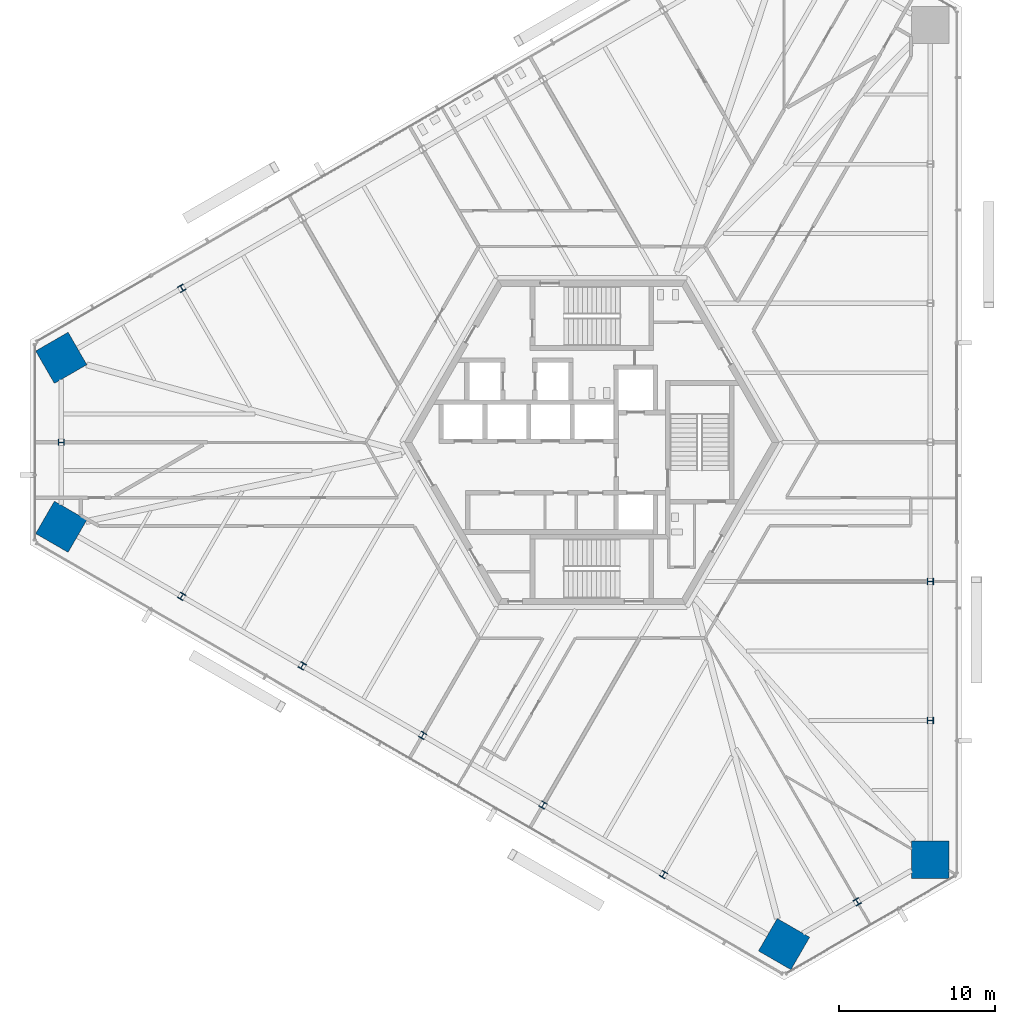
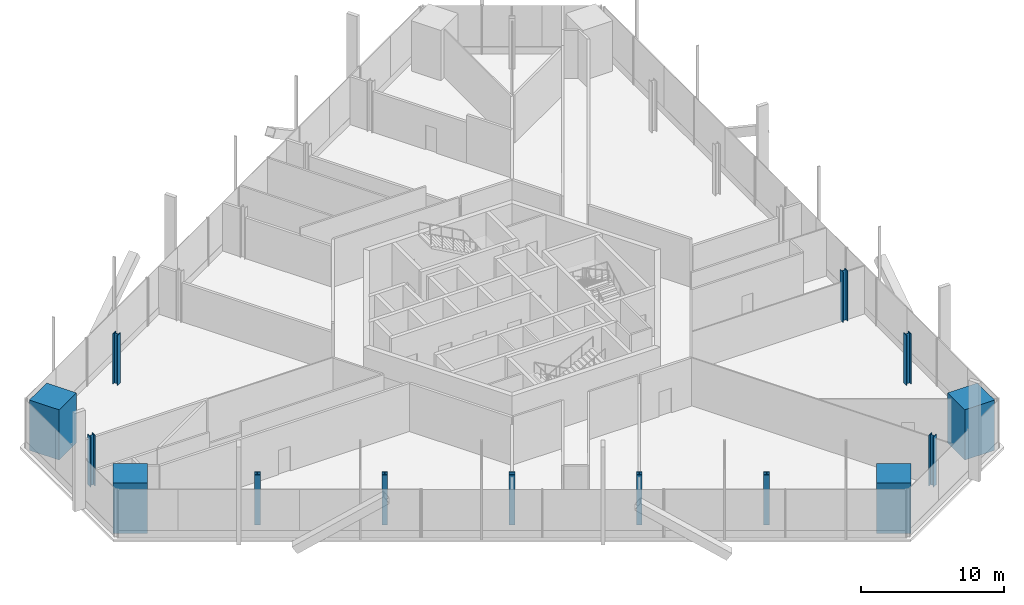
# One storey, part 1 of 19: 14 columns.
"""IFC4 building model written with IfcOpenShell, lengths in metres."""

from ifc_helpers import new_model, si_unit, direction, frame, origin, origin_2d, place, context, subcontext, project, spatial, rectangle, i_section, extrude, source, transform, mapped, material, material_profile, profile_set, type_object, element, save


model = new_model("IFC4")

# Units and contexts
model_context = context("Model", 3, precision=1e-05, world=origin(), true_north=direction((0.0, 1.0)))
body_context = subcontext(model_context, "Body", "Model", "MODEL_VIEW")
ifc_project = project(units=[si_unit("LENGTHUNIT", "METRE"), si_unit("AREAUNIT", "SQUARE_METRE"), si_unit("VOLUMEUNIT", "CUBIC_METRE"), si_unit("PLANEANGLEUNIT", "RADIAN"), si_unit("MASSUNIT", "GRAM", prefix="KILO")], contexts=[model_context])

# Site, building, storey
site_placement = place(None, origin())
site = spatial("IfcSite", under=ifc_project, at=site_placement, CompositionType="ELEMENT")
building_placement = place(site_placement, origin())
building = spatial("IfcBuilding", under=site, at=building_placement, Name="Triune Harvest Tower", CompositionType="ELEMENT")
storey_placement = place(building_placement, frame((0.0, 0.0, 24.60009765625)))
storey = spatial("IfcBuildingStorey", under=building, at=storey_placement, Name="L05", CompositionType="ELEMENT", Elevation=24.60009765625)

# Columns
ifc_material_1 = material(Name="Concrete 70 MPa", Category="concrete")
ifc_material_profile_1 = material_profile(ifc_material_1, rectangle(XDim=2.39990234375, YDim=2.39990234375, at=origin_2d()), Name="Composite 2400x2400")
ifc_profile_set_1 = profile_set([ifc_material_profile_1], Name="Concrete 70 MPa")
column_type_1 = type_object("IfcColumnType", Name="MC-1 Mega column Composite 2400x2400", PredefinedType="COLUMN", material=ifc_profile_set_1)
shared_shape_1 = source(origin(), body_context, "Body", "SweptSolid", [
    extrude(rectangle(XDim=2.39990234375, YDim=2.39990234375, at=origin_2d()), origin(), (0.0, 0.0, 1.0), 4.2998046875),
])
for number, where, z_axis, x_axis, name in (
    (1, (21.679443359375, -26.72998046875, 0.0), (0.0, 0.0, 1.0), (0.0, 1.0, 0.0), "col/L05/M0"),
    (2, (-33.988525390625, 5.409912109375, 0.0), (0.0, 0.0, 1.0), (-0.866025403784, -0.5, 0.0), "col/L05/M14"),
    (3, (-33.988525390625, -5.409912109375, 0.0), (0.0, 0.0, 1.0), (0.866025403784, -0.5, 0.0), "col/L05/M16"),
    (4, (12.30908203125, -32.139892578125, 0.0), (0.0, 0.0, 1.0), (0.866025403784, -0.5, 0.0), "col/L05/M22"),
):
    element("IfcColumn", number, at=place(storey_placement, frame(where, z_axis=z_axis, x_axis=x_axis)), inside=storey, type_object=column_type_1, Name=name, PredefinedType="COLUMN", context=body_context, shape_type="MappedRepresentation", body=[
        mapped(shared_shape_1, transform((0.0, 0.0, 0.0), scale=1.0)),
    ])
ifc_material_2 = material(Name="Steel ASTM A992 Gr 50", Category="steel")
ifc_material_profile_2 = material_profile(ifc_material_2, i_section(OverallWidth=0.40380859375, OverallDepth=0.406494140625, WebThickness=0.027099609375, FlangeThickness=0.043701171875, at=origin_2d()), Name="W14x233")
ifc_profile_set_2 = profile_set([ifc_material_profile_2], Name="Steel ASTM A992 Gr 50")
column_type_2 = type_object("IfcColumnType", Name="PC-1 Perimeter column W14x233", PredefinedType="COLUMN", material=ifc_profile_set_2)
shared_shape_2 = source(origin(), body_context, "Body", "SweptSolid", [
    extrude(i_section(OverallWidth=0.40380859375, OverallDepth=0.406494140625, WebThickness=0.027099609375, FlangeThickness=0.043701171875, at=origin_2d()), origin(), (0.0, 0.0, 1.0), 4.2998046875),
])
for number, where, z_axis, x_axis, name in (
    (5, (21.679443359375, -17.820068359375, 0.0), (0.0, 0.0, 1.0), (0.0, 1.0, 0.0), "col/L05/P1"),
    (6, (21.679443359375, -8.909912109375, 0.0), (0.0, 0.0, 1.0), (0.0, 1.0, 0.0), "col/L05/P2"),
    (7, (-26.272216796875, 9.864990234375, 0.0), (0.0, 0.0, 1.0), (-0.866025403784, -0.5, 0.0), "col/L05/P13"),
    (8, (-33.988525390625, 0.0, 0.0), (0.0, 0.0, 1.0), (0.0, -1.0, 0.0), "col/L05/P15"),
    (9, (-26.272216796875, -9.864990234375, 0.0), (0.0, 0.0, 1.0), (0.866025403784, -0.5, 0.0), "col/L05/P17"),
    (10, (-18.555908203125, -14.320068359375, 0.0), (0.0, 0.0, 1.0), (0.866025403784, -0.5, 0.0), "col/L05/P18"),
    (11, (-10.839599609375, -18.77490234375, 0.0), (0.0, 0.0, 1.0), (0.866025403784, -0.5, 0.0), "col/L05/P19"),
    (12, (-3.12353515625, -23.22998046875, 0.0), (0.0, 0.0, 1.0), (0.866025403784, -0.5, 0.0), "col/L05/P20"),
    (13, (4.5927734375, -27.68505859375, 0.0), (0.0, 0.0, 1.0), (0.866025403784, -0.5, 0.0), "col/L05/P21"),
    (14, (16.994384765625, -29.43505859375, 0.0), (0.0, 0.0, 1.0), (0.866026276448, 0.4999984885, 0.0), "col/L05/P23"),
):
    element("IfcColumn", number, at=place(storey_placement, frame(where, z_axis=z_axis, x_axis=x_axis)), inside=storey, type_object=column_type_2, Name=name, PredefinedType="COLUMN", context=body_context, shape_type="MappedRepresentation", body=[
        mapped(shared_shape_2, transform((0.0, 0.0, 0.0), scale=1.0)),
    ])

save(model, "model.ifc")
